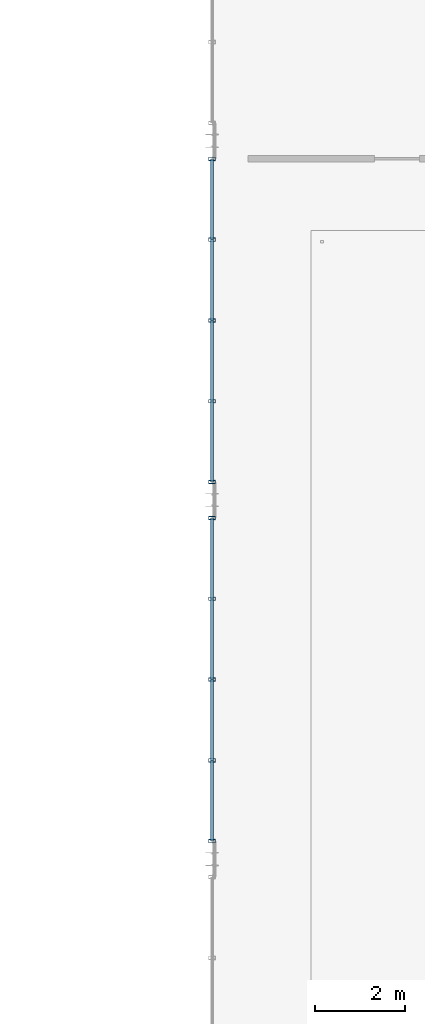
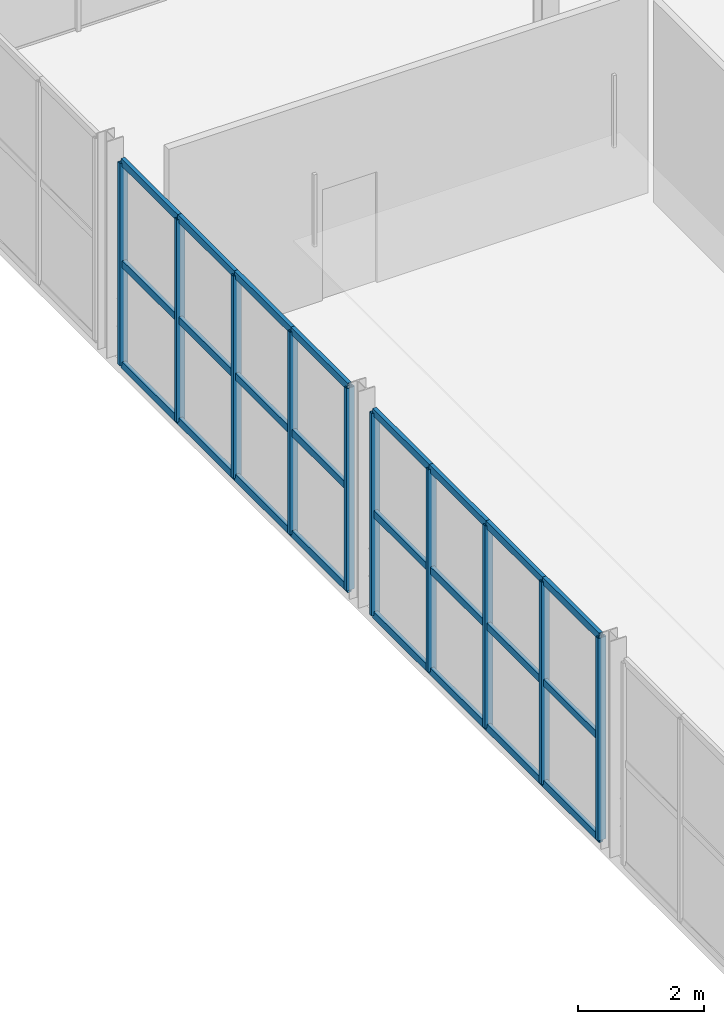
# One storey, part 14 of 67: 34 members, 2 elements without a shape of their own.
"""IFC4 building model written with IfcOpenShell, lengths in metres."""

from ifc_helpers import new_model, si_unit, direction, frame, origin, origin_2d, place, context, subcontext, project, spatial, hollow_rectangle, extrude, material, material_profile, profile_set, type_object, element, aggregate, save


model = new_model("IFC4")

# Units and contexts
model_context = context("Model", 3, precision=1e-05, world=origin(), true_north=direction((0.0, 1.0)))
body_context = subcontext(model_context, "Body", "Model", "MODEL_VIEW")
ifc_project = project(units=[si_unit("LENGTHUNIT", "METRE"), si_unit("AREAUNIT", "SQUARE_METRE"), si_unit("VOLUMEUNIT", "CUBIC_METRE"), si_unit("PLANEANGLEUNIT", "RADIAN"), si_unit("MASSUNIT", "GRAM", prefix="KILO")], contexts=[model_context])

# Site, building, storey
site_placement = place(None, origin())
site = spatial("IfcSite", under=ifc_project, at=site_placement, CompositionType="ELEMENT")
building_placement = place(site_placement, origin())
building = spatial("IfcBuilding", under=site, at=building_placement, Name="Sundkrona Museum", CompositionType="ELEMENT")
storey_placement = place(building_placement, frame((0.0, 0.0, 21.800048828125)))
storey = spatial("IfcBuildingStorey", under=building, at=storey_placement, Name="L04", CompositionType="ELEMENT", Elevation=21.800048828125)

# Curtain wall, members
ifc_material_1 = material(Name="Unitised Aluminium-Steel and Ceramic-Clad Curtain Walling", Category="steel")
curtain_wall_type = type_object("IfcCurtainWallType", Name="CW-AT-72x38", PredefinedType="NOTDEFINED", material=ifc_material_1)
curtain_wall_1_placement = place(storey_placement, origin())
curtain_wall_1 = element("IfcCurtainWall", 1, at=curtain_wall_1_placement, inside=storey, type_object=curtain_wall_type, Name="L04 Curtain Wall CW-L04-084", PredefinedType="NOTDEFINED")
ifc_material_2 = material(Name="Aluminium EN AW-6060 T66", Category="aluminium")
ifc_material_profile_1 = material_profile(ifc_material_2, hollow_rectangle(XDim=0.074951171875, YDim=0.14990234375, WallThickness=0.00634765625, at=origin_2d()), Name="RHS 150x75x6.3")
ifc_profile_set_1 = profile_set([ifc_material_profile_1], Name="Aluminium EN AW-6060 T66")
member_type_1 = type_object("IfcMemberType", Name="ML-150", PredefinedType="MULLION", material=ifc_profile_set_1)
member_1_placement = place(storey_placement, frame((80.0, 16.39990234375, -0.004150390625), z_axis=(0.0, 0.0, 1.0), x_axis=(0.0, 1.0, 0.0)))
member_1 = element("IfcMember", 2, at=member_1_placement, type_object=member_type_1, Name="CW-L04-084 Mullion 01", PredefinedType="MULLION", context=body_context, shape_type="SweptSolid", body=[
    extrude(hollow_rectangle(XDim=0.074951171875, YDim=0.14990234375, WallThickness=0.00634765625, at=origin_2d()), origin(), (0.0, 0.0, 1.0), 3.92822265625),
])
member_2_placement = place(storey_placement, frame((80.0, 18.199951171875, -0.004150390625), z_axis=(0.0, 0.0, 1.0), x_axis=(0.0, 1.0, 0.0)))
member_2 = element("IfcMember", 3, at=member_2_placement, type_object=member_type_1, Name="CW-L04-084 Mullion 02", PredefinedType="MULLION", context=body_context, shape_type="SweptSolid", body=[
    extrude(hollow_rectangle(XDim=0.074951171875, YDim=0.14990234375, WallThickness=0.00634765625, at=origin_2d()), origin(), (0.0, 0.0, 1.0), 3.92822265625),
])
member_3_placement = place(storey_placement, frame((80.0, 20.0, -0.004150390625), z_axis=(0.0, 0.0, 1.0), x_axis=(0.0, 1.0, 0.0)))
member_3 = element("IfcMember", 4, at=member_3_placement, type_object=member_type_1, Name="CW-L04-084 Mullion 03", PredefinedType="MULLION", context=body_context, shape_type="SweptSolid", body=[
    extrude(hollow_rectangle(XDim=0.074951171875, YDim=0.14990234375, WallThickness=0.00634765625, at=origin_2d()), origin(), (0.0, 0.0, 1.0), 3.92822265625),
])
member_4_placement = place(storey_placement, frame((80.0, 21.800048828125, -0.004150390625), z_axis=(0.0, 0.0, 1.0), x_axis=(0.0, 1.0, 0.0)))
member_4 = element("IfcMember", 5, at=member_4_placement, type_object=member_type_1, Name="CW-L04-084 Mullion 04", PredefinedType="MULLION", context=body_context, shape_type="SweptSolid", body=[
    extrude(hollow_rectangle(XDim=0.074951171875, YDim=0.14990234375, WallThickness=0.00634765625, at=origin_2d()), origin(), (0.0, 0.0, 1.0), 3.92822265625),
])
member_5_placement = place(storey_placement, frame((80.0, 23.60009765625, -0.004150390625), z_axis=(0.0, 0.0, 1.0), x_axis=(0.0, 1.0, 0.0)))
member_5 = element("IfcMember", 6, at=member_5_placement, type_object=member_type_1, Name="CW-L04-084 Mullion 05", PredefinedType="MULLION", context=body_context, shape_type="SweptSolid", body=[
    extrude(hollow_rectangle(XDim=0.074951171875, YDim=0.14990234375, WallThickness=0.00634765625, at=origin_2d()), origin(), (0.0, 0.0, 1.0), 3.92822265625),
])

curtain_wall_2_placement = place(storey_placement, origin())
curtain_wall_2 = element("IfcCurtainWall", 7, at=curtain_wall_2_placement, inside=storey, type_object=curtain_wall_type, Name="L04 Curtain Wall CW-L04-085", PredefinedType="NOTDEFINED")
member_6_placement = place(storey_placement, frame((80.0, 24.39990234375, -0.004150390625), z_axis=(0.0, 0.0, 1.0), x_axis=(0.0, 1.0, 0.0)))
member_6 = element("IfcMember", 8, at=member_6_placement, type_object=member_type_1, Name="CW-L04-085 Mullion 01", PredefinedType="MULLION", context=body_context, shape_type="SweptSolid", body=[
    extrude(hollow_rectangle(XDim=0.074951171875, YDim=0.14990234375, WallThickness=0.00634765625, at=origin_2d()), origin(), (0.0, 0.0, 1.0), 3.92822265625),
])
member_7_placement = place(storey_placement, frame((80.0, 26.199951171875, -0.004150390625), z_axis=(0.0, 0.0, 1.0), x_axis=(0.0, 1.0, 0.0)))
member_7 = element("IfcMember", 9, at=member_7_placement, type_object=member_type_1, Name="CW-L04-085 Mullion 02", PredefinedType="MULLION", context=body_context, shape_type="SweptSolid", body=[
    extrude(hollow_rectangle(XDim=0.074951171875, YDim=0.14990234375, WallThickness=0.00634765625, at=origin_2d()), origin(), (0.0, 0.0, 1.0), 3.92822265625),
])
member_8_placement = place(storey_placement, frame((80.0, 28.0, -0.004150390625), z_axis=(0.0, 0.0, 1.0), x_axis=(0.0, 1.0, 0.0)))
member_8 = element("IfcMember", 10, at=member_8_placement, type_object=member_type_1, Name="CW-L04-085 Mullion 03", PredefinedType="MULLION", context=body_context, shape_type="SweptSolid", body=[
    extrude(hollow_rectangle(XDim=0.074951171875, YDim=0.14990234375, WallThickness=0.00634765625, at=origin_2d()), origin(), (0.0, 0.0, 1.0), 3.92822265625),
])
member_9_placement = place(storey_placement, frame((80.0, 29.800048828125, -0.004150390625), z_axis=(0.0, 0.0, 1.0), x_axis=(0.0, 1.0, 0.0)))
member_9 = element("IfcMember", 11, at=member_9_placement, type_object=member_type_1, Name="CW-L04-085 Mullion 04", PredefinedType="MULLION", context=body_context, shape_type="SweptSolid", body=[
    extrude(hollow_rectangle(XDim=0.074951171875, YDim=0.14990234375, WallThickness=0.00634765625, at=origin_2d()), origin(), (0.0, 0.0, 1.0), 3.92822265625),
])
member_10_placement = place(storey_placement, frame((80.0, 31.60009765625, -0.004150390625), z_axis=(0.0, 0.0, 1.0), x_axis=(0.0, 1.0, 0.0)))
member_10 = element("IfcMember", 12, at=member_10_placement, type_object=member_type_1, Name="CW-L04-085 Mullion 05", PredefinedType="MULLION", context=body_context, shape_type="SweptSolid", body=[
    extrude(hollow_rectangle(XDim=0.074951171875, YDim=0.14990234375, WallThickness=0.00634765625, at=origin_2d()), origin(), (0.0, 0.0, 1.0), 3.92822265625),
])

# Member
ifc_material_profile_2 = material_profile(ifc_material_2, hollow_rectangle(XDim=0.070068359375, YDim=0.139892578125, WallThickness=0.0048828125, at=origin_2d()), Name="RHS 140x70x5.0")
ifc_profile_set_2 = profile_set([ifc_material_profile_2], Name="Aluminium EN AW-6060 T66")
member_type_2 = type_object("IfcMemberType", Name="TR-140", PredefinedType="USERDEFINED", material=ifc_profile_set_2)
member_11_placement = place(storey_placement, frame((80.0, 16.39990234375, -0.004150390625), z_axis=(0.0, 1.0, 0.0), x_axis=(-1.0, 0.0, 0.0)))
member_11 = element("IfcMember", 13, at=member_11_placement, type_object=member_type_2, Name="CW-L04-084 Transom 01", ObjectType="TRANSOM", PredefinedType="USERDEFINED", context=body_context, shape_type="SweptSolid", body=[
    extrude(hollow_rectangle(XDim=0.070068359375, YDim=0.139892578125, WallThickness=0.0048828125, at=origin_2d()), origin(), (0.0, 0.0, 1.0), 1.800048828125),
])

member_12_placement = place(storey_placement, frame((80.0, 16.39990234375, 1.9599609375), z_axis=(0.0, 1.0, 0.0), x_axis=(-1.0, 0.0, 0.0)))
member_12 = element("IfcMember", 14, at=member_12_placement, type_object=member_type_2, Name="CW-L04-084 Transom 02", ObjectType="TRANSOM", PredefinedType="USERDEFINED", context=body_context, shape_type="SweptSolid", body=[
    extrude(hollow_rectangle(XDim=0.070068359375, YDim=0.139892578125, WallThickness=0.0048828125, at=origin_2d()), origin(), (0.0, 0.0, 1.0), 1.800048828125),
])

member_13_placement = place(storey_placement, frame((80.0, 16.39990234375, 3.924072265625), z_axis=(0.0, 1.0, 0.0), x_axis=(-1.0, 0.0, 0.0)))
member_13 = element("IfcMember", 15, at=member_13_placement, type_object=member_type_2, Name="CW-L04-084 Transom 03", ObjectType="TRANSOM", PredefinedType="USERDEFINED", context=body_context, shape_type="SweptSolid", body=[
    extrude(hollow_rectangle(XDim=0.070068359375, YDim=0.139892578125, WallThickness=0.0048828125, at=origin_2d()), origin(), (0.0, 0.0, 1.0), 1.800048828125),
])

member_14_placement = place(storey_placement, frame((80.0, 18.199951171875, -0.004150390625), z_axis=(0.0, 1.0, 0.0), x_axis=(-1.0, 0.0, 0.0)))
member_14 = element("IfcMember", 16, at=member_14_placement, type_object=member_type_2, Name="CW-L04-084 Transom 04", ObjectType="TRANSOM", PredefinedType="USERDEFINED", context=body_context, shape_type="SweptSolid", body=[
    extrude(hollow_rectangle(XDim=0.070068359375, YDim=0.139892578125, WallThickness=0.0048828125, at=origin_2d()), origin(), (0.0, 0.0, 1.0), 1.800048828125),
])

member_15_placement = place(storey_placement, frame((80.0, 18.199951171875, 1.9599609375), z_axis=(0.0, 1.0, 0.0), x_axis=(-1.0, 0.0, 0.0)))
member_15 = element("IfcMember", 17, at=member_15_placement, type_object=member_type_2, Name="CW-L04-084 Transom 05", ObjectType="TRANSOM", PredefinedType="USERDEFINED", context=body_context, shape_type="SweptSolid", body=[
    extrude(hollow_rectangle(XDim=0.070068359375, YDim=0.139892578125, WallThickness=0.0048828125, at=origin_2d()), origin(), (0.0, 0.0, 1.0), 1.800048828125),
])

member_16_placement = place(storey_placement, frame((80.0, 18.199951171875, 3.924072265625), z_axis=(0.0, 1.0, 0.0), x_axis=(-1.0, 0.0, 0.0)))
member_16 = element("IfcMember", 18, at=member_16_placement, type_object=member_type_2, Name="CW-L04-084 Transom 06", ObjectType="TRANSOM", PredefinedType="USERDEFINED", context=body_context, shape_type="SweptSolid", body=[
    extrude(hollow_rectangle(XDim=0.070068359375, YDim=0.139892578125, WallThickness=0.0048828125, at=origin_2d()), origin(), (0.0, 0.0, 1.0), 1.800048828125),
])

member_17_placement = place(storey_placement, frame((80.0, 20.0, -0.004150390625), z_axis=(0.0, 1.0, 0.0), x_axis=(-1.0, 0.0, 0.0)))
member_17 = element("IfcMember", 19, at=member_17_placement, type_object=member_type_2, Name="CW-L04-084 Transom 07", ObjectType="TRANSOM", PredefinedType="USERDEFINED", context=body_context, shape_type="SweptSolid", body=[
    extrude(hollow_rectangle(XDim=0.070068359375, YDim=0.139892578125, WallThickness=0.0048828125, at=origin_2d()), origin(), (0.0, 0.0, 1.0), 1.800048828125),
])

member_18_placement = place(storey_placement, frame((80.0, 20.0, 1.9599609375), z_axis=(0.0, 1.0, 0.0), x_axis=(-1.0, 0.0, 0.0)))
member_18 = element("IfcMember", 20, at=member_18_placement, type_object=member_type_2, Name="CW-L04-084 Transom 08", ObjectType="TRANSOM", PredefinedType="USERDEFINED", context=body_context, shape_type="SweptSolid", body=[
    extrude(hollow_rectangle(XDim=0.070068359375, YDim=0.139892578125, WallThickness=0.0048828125, at=origin_2d()), origin(), (0.0, 0.0, 1.0), 1.800048828125),
])

member_19_placement = place(storey_placement, frame((80.0, 20.0, 3.924072265625), z_axis=(0.0, 1.0, 0.0), x_axis=(-1.0, 0.0, 0.0)))
member_19 = element("IfcMember", 21, at=member_19_placement, type_object=member_type_2, Name="CW-L04-084 Transom 09", ObjectType="TRANSOM", PredefinedType="USERDEFINED", context=body_context, shape_type="SweptSolid", body=[
    extrude(hollow_rectangle(XDim=0.070068359375, YDim=0.139892578125, WallThickness=0.0048828125, at=origin_2d()), origin(), (0.0, 0.0, 1.0), 1.800048828125),
])

member_20_placement = place(storey_placement, frame((80.0, 21.800048828125, -0.004150390625), z_axis=(0.0, 1.0, 0.0), x_axis=(-1.0, 0.0, 0.0)))
member_20 = element("IfcMember", 22, at=member_20_placement, type_object=member_type_2, Name="CW-L04-084 Transom 10", ObjectType="TRANSOM", PredefinedType="USERDEFINED", context=body_context, shape_type="SweptSolid", body=[
    extrude(hollow_rectangle(XDim=0.070068359375, YDim=0.139892578125, WallThickness=0.0048828125, at=origin_2d()), origin(), (0.0, 0.0, 1.0), 1.800048828125),
])

member_21_placement = place(storey_placement, frame((80.0, 21.800048828125, 1.9599609375), z_axis=(0.0, 1.0, 0.0), x_axis=(-1.0, 0.0, 0.0)))
member_21 = element("IfcMember", 23, at=member_21_placement, type_object=member_type_2, Name="CW-L04-084 Transom 11", ObjectType="TRANSOM", PredefinedType="USERDEFINED", context=body_context, shape_type="SweptSolid", body=[
    extrude(hollow_rectangle(XDim=0.070068359375, YDim=0.139892578125, WallThickness=0.0048828125, at=origin_2d()), origin(), (0.0, 0.0, 1.0), 1.800048828125),
])

member_22_placement = place(storey_placement, frame((80.0, 21.800048828125, 3.924072265625), z_axis=(0.0, 1.0, 0.0), x_axis=(-1.0, 0.0, 0.0)))
member_22 = element("IfcMember", 24, at=member_22_placement, type_object=member_type_2, Name="CW-L04-084 Transom 12", ObjectType="TRANSOM", PredefinedType="USERDEFINED", context=body_context, shape_type="SweptSolid", body=[
    extrude(hollow_rectangle(XDim=0.070068359375, YDim=0.139892578125, WallThickness=0.0048828125, at=origin_2d()), origin(), (0.0, 0.0, 1.0), 1.800048828125),
])

aggregate(curtain_wall_1, [member_1, member_2, member_3, member_4, member_5, member_11, member_12, member_13, member_14, member_15, member_16, member_17, member_18, member_19, member_20, member_21, member_22])

member_23_placement = place(storey_placement, frame((80.0, 24.39990234375, -0.004150390625), z_axis=(0.0, 1.0, 0.0), x_axis=(-1.0, 0.0, 0.0)))
member_23 = element("IfcMember", 25, at=member_23_placement, type_object=member_type_2, Name="CW-L04-085 Transom 01", ObjectType="TRANSOM", PredefinedType="USERDEFINED", context=body_context, shape_type="SweptSolid", body=[
    extrude(hollow_rectangle(XDim=0.070068359375, YDim=0.139892578125, WallThickness=0.0048828125, at=origin_2d()), origin(), (0.0, 0.0, 1.0), 1.800048828125),
])

member_24_placement = place(storey_placement, frame((80.0, 24.39990234375, 1.9599609375), z_axis=(0.0, 1.0, 0.0), x_axis=(-1.0, 0.0, 0.0)))
member_24 = element("IfcMember", 26, at=member_24_placement, type_object=member_type_2, Name="CW-L04-085 Transom 02", ObjectType="TRANSOM", PredefinedType="USERDEFINED", context=body_context, shape_type="SweptSolid", body=[
    extrude(hollow_rectangle(XDim=0.070068359375, YDim=0.139892578125, WallThickness=0.0048828125, at=origin_2d()), origin(), (0.0, 0.0, 1.0), 1.800048828125),
])

member_25_placement = place(storey_placement, frame((80.0, 24.39990234375, 3.924072265625), z_axis=(0.0, 1.0, 0.0), x_axis=(-1.0, 0.0, 0.0)))
member_25 = element("IfcMember", 27, at=member_25_placement, type_object=member_type_2, Name="CW-L04-085 Transom 03", ObjectType="TRANSOM", PredefinedType="USERDEFINED", context=body_context, shape_type="SweptSolid", body=[
    extrude(hollow_rectangle(XDim=0.070068359375, YDim=0.139892578125, WallThickness=0.0048828125, at=origin_2d()), origin(), (0.0, 0.0, 1.0), 1.800048828125),
])

member_26_placement = place(storey_placement, frame((80.0, 26.199951171875, -0.004150390625), z_axis=(0.0, 1.0, 0.0), x_axis=(-1.0, 0.0, 0.0)))
member_26 = element("IfcMember", 28, at=member_26_placement, type_object=member_type_2, Name="CW-L04-085 Transom 04", ObjectType="TRANSOM", PredefinedType="USERDEFINED", context=body_context, shape_type="SweptSolid", body=[
    extrude(hollow_rectangle(XDim=0.070068359375, YDim=0.139892578125, WallThickness=0.0048828125, at=origin_2d()), origin(), (0.0, 0.0, 1.0), 1.800048828125),
])

member_27_placement = place(storey_placement, frame((80.0, 26.199951171875, 1.9599609375), z_axis=(0.0, 1.0, 0.0), x_axis=(-1.0, 0.0, 0.0)))
member_27 = element("IfcMember", 29, at=member_27_placement, type_object=member_type_2, Name="CW-L04-085 Transom 05", ObjectType="TRANSOM", PredefinedType="USERDEFINED", context=body_context, shape_type="SweptSolid", body=[
    extrude(hollow_rectangle(XDim=0.070068359375, YDim=0.139892578125, WallThickness=0.0048828125, at=origin_2d()), origin(), (0.0, 0.0, 1.0), 1.800048828125),
])

member_28_placement = place(storey_placement, frame((80.0, 26.199951171875, 3.924072265625), z_axis=(0.0, 1.0, 0.0), x_axis=(-1.0, 0.0, 0.0)))
member_28 = element("IfcMember", 30, at=member_28_placement, type_object=member_type_2, Name="CW-L04-085 Transom 06", ObjectType="TRANSOM", PredefinedType="USERDEFINED", context=body_context, shape_type="SweptSolid", body=[
    extrude(hollow_rectangle(XDim=0.070068359375, YDim=0.139892578125, WallThickness=0.0048828125, at=origin_2d()), origin(), (0.0, 0.0, 1.0), 1.800048828125),
])

member_29_placement = place(storey_placement, frame((80.0, 28.0, -0.004150390625), z_axis=(0.0, 1.0, 0.0), x_axis=(-1.0, 0.0, 0.0)))
member_29 = element("IfcMember", 31, at=member_29_placement, type_object=member_type_2, Name="CW-L04-085 Transom 07", ObjectType="TRANSOM", PredefinedType="USERDEFINED", context=body_context, shape_type="SweptSolid", body=[
    extrude(hollow_rectangle(XDim=0.070068359375, YDim=0.139892578125, WallThickness=0.0048828125, at=origin_2d()), origin(), (0.0, 0.0, 1.0), 1.800048828125),
])

member_30_placement = place(storey_placement, frame((80.0, 28.0, 1.9599609375), z_axis=(0.0, 1.0, 0.0), x_axis=(-1.0, 0.0, 0.0)))
member_30 = element("IfcMember", 32, at=member_30_placement, type_object=member_type_2, Name="CW-L04-085 Transom 08", ObjectType="TRANSOM", PredefinedType="USERDEFINED", context=body_context, shape_type="SweptSolid", body=[
    extrude(hollow_rectangle(XDim=0.070068359375, YDim=0.139892578125, WallThickness=0.0048828125, at=origin_2d()), origin(), (0.0, 0.0, 1.0), 1.800048828125),
])

member_31_placement = place(storey_placement, frame((80.0, 28.0, 3.924072265625), z_axis=(0.0, 1.0, 0.0), x_axis=(-1.0, 0.0, 0.0)))
member_31 = element("IfcMember", 33, at=member_31_placement, type_object=member_type_2, Name="CW-L04-085 Transom 09", ObjectType="TRANSOM", PredefinedType="USERDEFINED", context=body_context, shape_type="SweptSolid", body=[
    extrude(hollow_rectangle(XDim=0.070068359375, YDim=0.139892578125, WallThickness=0.0048828125, at=origin_2d()), origin(), (0.0, 0.0, 1.0), 1.800048828125),
])

member_32_placement = place(storey_placement, frame((80.0, 29.800048828125, -0.004150390625), z_axis=(0.0, 1.0, 0.0), x_axis=(-1.0, 0.0, 0.0)))
member_32 = element("IfcMember", 34, at=member_32_placement, type_object=member_type_2, Name="CW-L04-085 Transom 10", ObjectType="TRANSOM", PredefinedType="USERDEFINED", context=body_context, shape_type="SweptSolid", body=[
    extrude(hollow_rectangle(XDim=0.070068359375, YDim=0.139892578125, WallThickness=0.0048828125, at=origin_2d()), origin(), (0.0, 0.0, 1.0), 1.800048828125),
])

member_33_placement = place(storey_placement, frame((80.0, 29.800048828125, 1.9599609375), z_axis=(0.0, 1.0, 0.0), x_axis=(-1.0, 0.0, 0.0)))
member_33 = element("IfcMember", 35, at=member_33_placement, type_object=member_type_2, Name="CW-L04-085 Transom 11", ObjectType="TRANSOM", PredefinedType="USERDEFINED", context=body_context, shape_type="SweptSolid", body=[
    extrude(hollow_rectangle(XDim=0.070068359375, YDim=0.139892578125, WallThickness=0.0048828125, at=origin_2d()), origin(), (0.0, 0.0, 1.0), 1.800048828125),
])

member_34_placement = place(storey_placement, frame((80.0, 29.800048828125, 3.924072265625), z_axis=(0.0, 1.0, 0.0), x_axis=(-1.0, 0.0, 0.0)))
member_34 = element("IfcMember", 36, at=member_34_placement, type_object=member_type_2, Name="CW-L04-085 Transom 12", ObjectType="TRANSOM", PredefinedType="USERDEFINED", context=body_context, shape_type="SweptSolid", body=[
    extrude(hollow_rectangle(XDim=0.070068359375, YDim=0.139892578125, WallThickness=0.0048828125, at=origin_2d()), origin(), (0.0, 0.0, 1.0), 1.800048828125),
])

aggregate(curtain_wall_2, [member_6, member_7, member_8, member_9, member_10, member_23, member_24, member_25, member_26, member_27, member_28, member_29, member_30, member_31, member_32, member_33, member_34])

save(model, "model.ifc")
